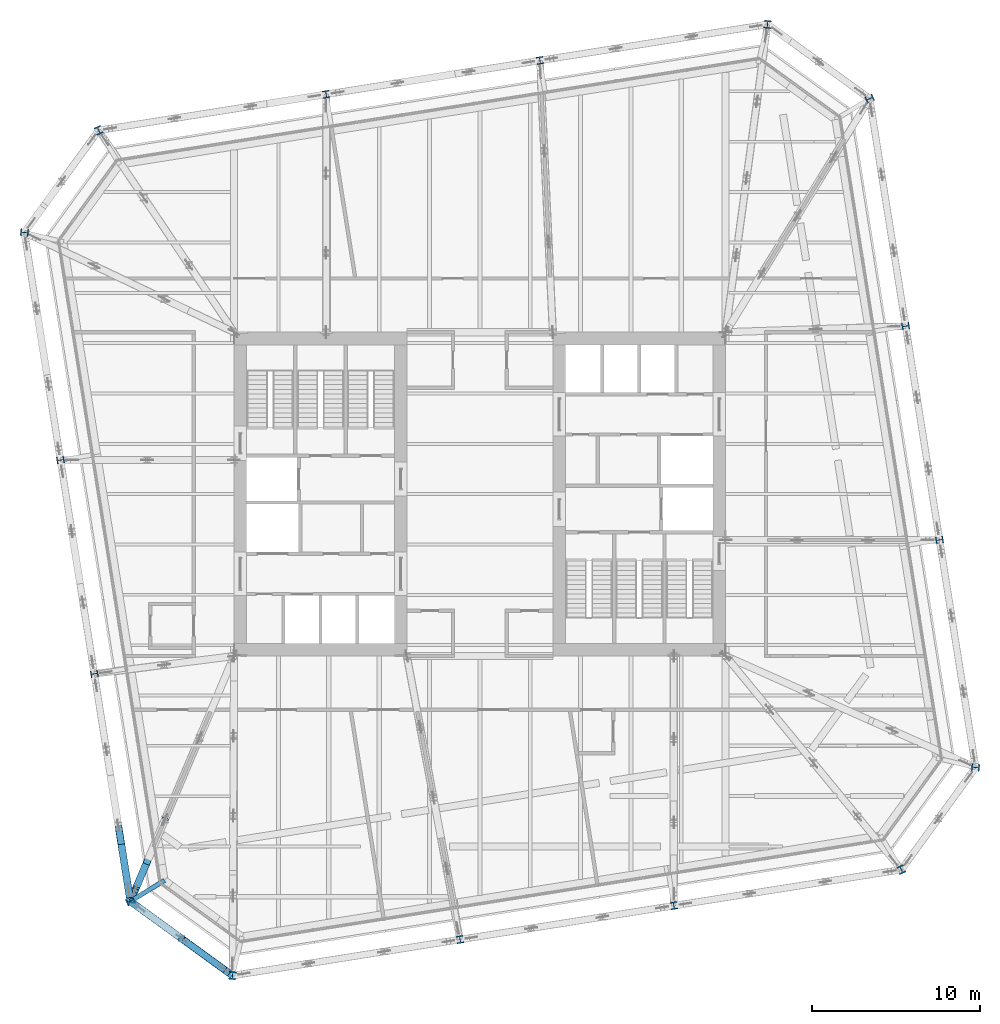
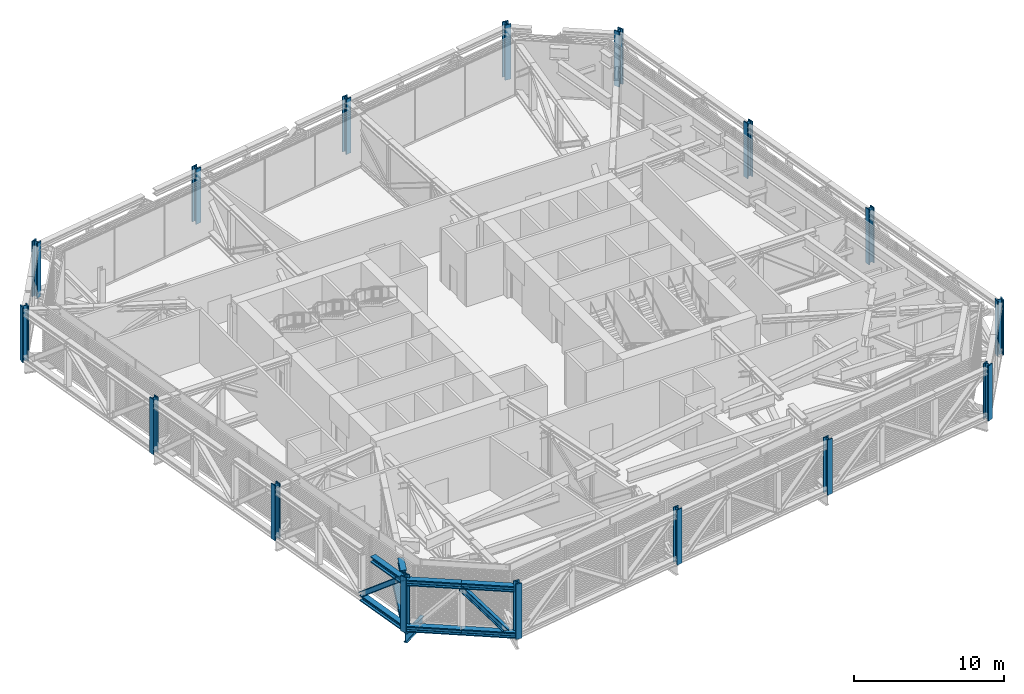
# One storey, part 1 of 31: 16 columns, 9 beams, 3 members.
"""IFC4 building model written with IfcOpenShell, lengths in metres."""

from ifc_helpers import new_model, si_unit, direction, frame, origin, origin_2d, place, context, subcontext, project, spatial, i_section, extrude, material, material_profile, profile_set, type_object, element, save


model = new_model("IFC4")

# Units and contexts
model_context = context("Model", 3, precision=1e-05, world=origin(), true_north=direction((0.0, 1.0)))
body_context = subcontext(model_context, "Body", "Model", "MODEL_VIEW")
ifc_project = project(units=[si_unit("LENGTHUNIT", "METRE"), si_unit("AREAUNIT", "SQUARE_METRE"), si_unit("VOLUMEUNIT", "CUBIC_METRE"), si_unit("PLANEANGLEUNIT", "RADIAN"), si_unit("MASSUNIT", "GRAM", prefix="KILO")], contexts=[model_context])

# Site, building, storey
site_placement = place(None, origin())
site = spatial("IfcSite", under=ifc_project, at=site_placement, CompositionType="ELEMENT")
building_placement = place(site_placement, origin())
building = spatial("IfcBuilding", under=site, at=building_placement, Name="Millrace Tower", CompositionType="ELEMENT")
storey_placement = place(building_placement, frame((0.0, 0.0, 195.60009765625)))
storey = spatial("IfcBuildingStorey", under=building, at=storey_placement, Name="L44", CompositionType="ELEMENT", Elevation=195.60009765625)

# Columns
ifc_material_1 = material(Name="Steel ASTM A913 Grade 65", Category="steel")
ifc_material_profile_1 = material_profile(ifc_material_1, i_section(OverallWidth=0.419189453125, OverallDepth=0.45458984375, WebThickness=0.042236328125, FlangeThickness=0.067626953125, FilletRadius=0.01513671875, at=origin_2d()))
ifc_profile_set_1 = profile_set([ifc_material_profile_1], Name="Steel ASTM A913 Grade 65")
column_type_1 = type_object("IfcColumnType", Name="Exoskeleton column W14x370", PredefinedType="COLUMN", material=ifc_profile_set_1)
for number, where, z_axis, x_axis, name in (
    (1, (-1.181396484375, -26.545166015625, 0.0), (0.0, 0.0, 1.0), (0.987688339156, 0.156434474125, 0.0), "COL-C-L44-X03"),
    (2, (11.5595703125, -24.527099609375, 0.0), (0.0, 0.0, 1.0), (0.987688338239, 0.156434479917, 0.0), "COL-C-L44-X04"),
    (3, (27.39501953125, -2.7314453125, 0.0), (0.0, 0.0, 1.0), (-0.156434474125, 0.987688339156, 0.0), "COL-C-L44-X07"),
    (4, (25.376953125, 10.009765625, 0.0), (0.0, 0.0, 1.0), (-0.156434479917, 0.987688338239, 0.0), "COL-C-L44-X08"),
    (5, (3.58154296875, 25.844970703125, 0.0), (0.0, 0.0, 1.0), (-0.987688339156, -0.156434474125, 0.0), "COL-C-L44-X11"),
    (6, (-9.15966796875, 23.8271484375, 0.0), (0.0, 0.0, 1.0), (-0.987688338239, -0.156434479917, 0.0), "COL-C-L44-X12"),
    (7, (-24.9951171875, 2.031494140625, 0.0), (0.0, 0.0, 1.0), (0.156434474125, -0.987688339156, 0.0), "COL-C-L44-X15"),
    (8, (-22.97705078125, -10.709716796875, 0.0), (0.0, 0.0, 1.0), (0.156434479917, -0.987688338239, 0.0), "COL-C-L44-X16"),
):
    element("IfcColumn", number, at=place(storey_placement, frame(where, z_axis=z_axis, x_axis=x_axis)), inside=storey, type_object=column_type_1, Name=name, PredefinedType="COLUMN", context=body_context, shape_type="SweptSolid", body=[
        extrude(i_section(OverallWidth=0.419189453125, OverallDepth=0.45458984375, WebThickness=0.042236328125, FlangeThickness=0.067626953125, FilletRadius=0.01513671875, at=origin_2d()), origin(), (0.0, 0.0, 1.0), 4.5),
    ])
ifc_material_2 = material(Name="Steel ASTM A913 Grade 65", Category="steel")
ifc_material_profile_2 = material_profile(ifc_material_2, i_section(OverallWidth=0.4267578125, OverallDepth=0.482666015625, WebThickness=0.05126953125, FlangeThickness=0.08154296875, FilletRadius=0.01513671875, at=origin_2d()))
ifc_profile_set_2 = profile_set([ifc_material_profile_2], Name="Steel ASTM A913 Grade 65")
column_type_2 = type_object("IfcColumnType", Name="Exoskeleton column W14x455", PredefinedType="COLUMN", material=ifc_profile_set_2)
for number, where, z_axis, x_axis, name in (
    (9, (-20.829345703125, -24.26904296875, 0.0), (0.0, 0.0, 1.0), (0.416401106568, -0.909181015227, 0.0), "COL-C-L44-X01"),
    (10, (-14.740966796875, -28.692626953125, 0.0), (0.0, 0.0, 1.0), (0.993357548409, -0.115068592665, 0.0), "COL-C-L44-X02"),
    (11, (25.119140625, -22.37939453125, 0.0), (0.0, 0.0, 1.0), (0.909181015227, 0.416401106568, 0.0), "COL-C-L44-X05"),
    (12, (29.542724609375, -16.291015625, 0.0), (0.0, 0.0, 1.0), (0.115068592665, 0.993357548409, 0.0), "COL-C-L44-X06"),
    (13, (23.2294921875, 23.569091796875, 0.0), (0.0, 0.0, 1.0), (-0.416401106568, 0.909181015227, 0.0), "COL-C-L44-X09"),
    (14, (17.140869140625, 27.99267578125, 0.0), (0.0, 0.0, 1.0), (-0.993357548409, 0.115068592665, 0.0), "COL-C-L44-X10"),
    (15, (-22.718994140625, 21.679443359375, 0.0), (0.0, 0.0, 1.0), (-0.909181015227, -0.416401106568, 0.0), "COL-C-L44-X13"),
    (16, (-27.142578125, 15.5908203125, 0.0), (0.0, 0.0, 1.0), (-0.115068592665, -0.993357548409, 0.0), "COL-C-L44-X14"),
):
    element("IfcColumn", number, at=place(storey_placement, frame(where, z_axis=z_axis, x_axis=x_axis)), inside=storey, type_object=column_type_2, Name=name, PredefinedType="COLUMN", context=body_context, shape_type="SweptSolid", body=[
        extrude(i_section(OverallWidth=0.4267578125, OverallDepth=0.482666015625, WebThickness=0.05126953125, FlangeThickness=0.08154296875, FilletRadius=0.01513671875, at=origin_2d()), origin(), (0.0, 0.0, 1.0), 4.5),
    ])

# Beams
ifc_material_3 = material(Name="Steel ASTM A992 Grade 50", Category="steel")
ifc_material_profile_3 = material_profile(ifc_material_3, i_section(OverallWidth=0.4267578125, OverallDepth=0.482666015625, WebThickness=0.05126953125, FlangeThickness=0.08154296875, FilletRadius=0.01513671875, at=origin_2d()))
ifc_profile_set_3 = profile_set([ifc_material_profile_3], Name="Steel ASTM A992 Grade 50")
beam_type_1 = type_object("IfcBeamType", Name="Belt truss chord W14x455", PredefinedType="BEAM", material=ifc_profile_set_3)
beam_1_placement = place(storey_placement, frame((-20.829345703125, -24.26904296875, 0.2412109375), z_axis=(0.80899412534, -0.587816727531, 0.0), x_axis=(0.587816727531, 0.80899412534, 0.0)))
element("IfcBeam", 17, at=beam_1_placement, inside=storey, type_object=beam_type_1, Name="BLT-L44-R01-B01", PredefinedType="BEAM", context=body_context, shape_type="SweptSolid", body=[
    extrude(i_section(OverallWidth=0.4267578125, OverallDepth=0.482666015625, WebThickness=0.05126953125, FlangeThickness=0.08154296875, FilletRadius=0.01513671875, at=origin_2d()), origin(), (0.0, 0.0, 1.0), 3.762939453125),
])
beam_2_placement = place(storey_placement, frame((-17.78515625, -26.48095703125, 0.2412109375), z_axis=(0.809024978662, -0.587774262707, 0.0), x_axis=(0.587774262707, 0.809024978662, 0.0)))
element("IfcBeam", 18, at=beam_2_placement, inside=storey, type_object=beam_type_1, Name="BLT-L44-R01-B02", PredefinedType="BEAM", context=body_context, shape_type="SweptSolid", body=[
    extrude(i_section(OverallWidth=0.4267578125, OverallDepth=0.482666015625, WebThickness=0.05126953125, FlangeThickness=0.08154296875, FilletRadius=0.01513671875, at=origin_2d()), origin(), (0.0, 0.0, 1.0), 3.7626953125),
])
beam_3_placement = place(storey_placement, frame((-21.54541015625, -19.749267578125, 0.2412109375), z_axis=(0.156477602811, -0.987681507278, 0.0), x_axis=(0.987681507278, 0.156477602811, 0.0)))
element("IfcBeam", 19, at=beam_3_placement, inside=storey, type_object=beam_type_1, Name="BLT-L44-R16-B03", PredefinedType="BEAM", context=body_context, shape_type="SweptSolid", body=[
    extrude(i_section(OverallWidth=0.4267578125, OverallDepth=0.482666015625, WebThickness=0.05126953125, FlangeThickness=0.08154296875, FilletRadius=0.01513671875, at=origin_2d()), origin(), (0.0, 0.0, 1.0), 4.576171875),
])
beam_4_placement = place(storey_placement, frame((-20.8212890625, -24.27490234375, 3.99853515625), z_axis=(0.808994810086, -0.587815785135, 0.0), x_axis=(0.587815785135, 0.808994810086, 0.0)))
element("IfcBeam", 20, at=beam_4_placement, inside=storey, type_object=beam_type_1, Name="BLT-L44-R01-T01", PredefinedType="BEAM", context=body_context, shape_type="SweptSolid", body=[
    extrude(i_section(OverallWidth=0.4267578125, OverallDepth=0.482666015625, WebThickness=0.05126953125, FlangeThickness=0.08154296875, FilletRadius=0.01513671875, at=origin_2d()), origin(), (0.0, 0.0, 1.0), 3.7529296875),
])
beam_5_placement = place(storey_placement, frame((-17.78515625, -26.48095703125, 3.99853515625), z_axis=(0.809022381895, -0.587777836936, 0.0), x_axis=(0.587777836936, 0.809022381895, 0.0)))
element("IfcBeam", 21, at=beam_5_placement, inside=storey, type_object=beam_type_1, Name="BLT-L44-R01-T02", PredefinedType="BEAM", context=body_context, shape_type="SweptSolid", body=[
    extrude(i_section(OverallWidth=0.4267578125, OverallDepth=0.482666015625, WebThickness=0.05126953125, FlangeThickness=0.08154296875, FilletRadius=0.01513671875, at=origin_2d()), origin(), (0.0, 0.0, 1.0), 3.538818359375),
])
beam_6_placement = place(storey_placement, frame((-21.36767578125, -20.870361328125, 3.99853515625), z_axis=(0.15640681483, -0.987692719561, 0.0), x_axis=(0.987692719561, 0.15640681483, 0.0)))
element("IfcBeam", 22, at=beam_6_placement, inside=storey, type_object=beam_type_1, Name="BLT-L44-R16-T03", PredefinedType="BEAM", context=body_context, shape_type="SweptSolid", body=[
    extrude(i_section(OverallWidth=0.4267578125, OverallDepth=0.482666015625, WebThickness=0.05126953125, FlangeThickness=0.08154296875, FilletRadius=0.01513671875, at=origin_2d()), origin(), (0.0, 0.0, 1.0), 3.217041015625),
])

# Members
ifc_material_4 = material(Name="Steel ASTM A992 Grade 50", Category="steel")
ifc_material_profile_4 = material_profile(ifc_material_4, i_section(OverallWidth=0.398681640625, OverallDepth=0.393798828125, WebThickness=0.022705078125, FlangeThickness=0.03662109375, FilletRadius=0.01513671875, at=origin_2d()))
ifc_profile_set_4 = profile_set([ifc_material_profile_4], Name="Steel ASTM A992 Grade 50")
member_type_1 = type_object("IfcMemberType", Name="Belt truss diagonal W14x193", PredefinedType="BRACE", material=ifc_profile_set_4)
member_1_placement = place(storey_placement, frame((-15.30712890625, -28.28125, 0.482421875), z_axis=(-0.552632129758, 0.401488603432, 0.730345555524), x_axis=(-0.587764036954, -0.809032407796, 0.0)))
element("IfcMember", 23, at=member_1_placement, inside=storey, type_object=member_type_1, Name="BLT-L44-R01-D02", PredefinedType="BRACE", context=body_context, shape_type="SweptSolid", body=[
    extrude(i_section(OverallWidth=0.398681640625, OverallDepth=0.393798828125, WebThickness=0.022705078125, FlangeThickness=0.03662109375, FilletRadius=0.01513671875, at=origin_2d()), origin(), (0.0, 0.0, 1.0), 4.484130859375),
])
member_2_placement = place(storey_placement, frame((-21.54541015625, -19.749267578125, 0.482421875), z_axis=(0.119511586918, -0.754452976838, 0.64538181438), x_axis=(0.987684704581, 0.156457420202, 0.0)))
element("IfcMember", 24, at=member_2_placement, inside=storey, type_object=member_type_1, Name="BLT-L44-R16-D03", PredefinedType="BRACE", context=body_context, shape_type="SweptSolid", body=[
    extrude(i_section(OverallWidth=0.398681640625, OverallDepth=0.393798828125, WebThickness=0.022705078125, FlangeThickness=0.03662109375, FilletRadius=0.01513671875, at=origin_2d()), origin(), (0.0, 0.0, 1.0), 5.074462890625),
])

# Beams
ifc_material_5 = material(Name="Steel ASTM A992 Grade 50", Category="steel")
ifc_material_profile_5 = material_profile(ifc_material_5, i_section(OverallWidth=0.2666015625, OverallDepth=0.7568359375, WebThickness=0.013916015625, FlangeThickness=0.019287109375, FilletRadius=0.0166015625, at=origin_2d()))
ifc_profile_set_5 = profile_set([ifc_material_profile_5], Name="Steel ASTM A992 Grade 50")
beam_type_2 = type_object("IfcBeamType", Name="Link beam W30x108", PredefinedType="BEAM", material=ifc_profile_set_5)
beam_7_placement = place(storey_placement, frame((-18.7890625, -23.018798828125, -0.628662109375), z_axis=(-0.852648172602, -0.522485496218, 0.0), x_axis=(0.522485496218, -0.852648172602, 0.0)))
element("IfcBeam", 25, at=beam_7_placement, inside=storey, type_object=beam_type_2, Name="LNK-C-L44-S1-01", PredefinedType="BEAM", context=body_context, shape_type="SweptSolid", body=[
    extrude(i_section(OverallWidth=0.2666015625, OverallDepth=0.7568359375, WebThickness=0.013916015625, FlangeThickness=0.019287109375, FilletRadius=0.0166015625, at=origin_2d()), origin(), (0.0, 0.0, 1.0), 2.392822265625),
])
ifc_material_6 = material(Name="Steel ASTM A992 Grade 50", Category="steel")
ifc_material_profile_6 = material_profile(ifc_material_6, i_section(OverallWidth=0.4267578125, OverallDepth=0.482666015625, WebThickness=0.05126953125, FlangeThickness=0.08154296875, FilletRadius=0.01513671875, at=origin_2d()))
ifc_profile_set_6 = profile_set([ifc_material_profile_6], Name="Steel ASTM A992 Grade 50")
beam_type_3 = type_object("IfcBeamType", Name="Outrigger truss chord W14x455", PredefinedType="BEAM", material=ifc_profile_set_6)
beam_8_placement = place(storey_placement, frame((-18.76953125, -19.39599609375, 0.2412109375), z_axis=(-0.38934189697, -0.921093310835, 0.0), x_axis=(0.921093310835, -0.38934189697, 0.0)))
element("IfcBeam", 26, at=beam_8_placement, inside=storey, type_object=beam_type_3, Name="BLT-L44-O01-B03", PredefinedType="BEAM", context=body_context, shape_type="SweptSolid", body=[
    extrude(i_section(OverallWidth=0.4267578125, OverallDepth=0.482666015625, WebThickness=0.05126953125, FlangeThickness=0.08154296875, FilletRadius=0.01513671875, at=origin_2d()), origin(), (0.0, 0.0, 1.0), 5.29052734375),
])
beam_9_placement = place(storey_placement, frame((-19.888916015625, -22.0439453125, 3.99853515625), z_axis=(-0.389344591048, -0.921092172056, 0.0), x_axis=(0.921092172056, -0.389344591048, 0.0)))
element("IfcBeam", 27, at=beam_9_placement, inside=storey, type_object=beam_type_3, Name="BLT-L44-O01-T03-b", PredefinedType="BEAM", context=body_context, shape_type="SweptSolid", body=[
    extrude(i_section(OverallWidth=0.4267578125, OverallDepth=0.482666015625, WebThickness=0.05126953125, FlangeThickness=0.08154296875, FilletRadius=0.01513671875, at=origin_2d()), origin(), (0.0, 0.0, 1.0), 1.48291015625),
])

# Member
ifc_material_7 = material(Name="Steel ASTM A992 Grade 50", Category="steel")
ifc_material_profile_7 = material_profile(ifc_material_7, i_section(OverallWidth=0.398681640625, OverallDepth=0.393798828125, WebThickness=0.022705078125, FlangeThickness=0.03662109375, FilletRadius=0.01513671875, at=origin_2d()))
ifc_profile_set_7 = profile_set([ifc_material_profile_7], Name="Steel ASTM A992 Grade 50")
member_type_2 = type_object("IfcMemberType", Name="Outrigger truss diagonal W14x193", PredefinedType="BRACE", material=ifc_profile_set_7)
member_3_placement = place(storey_placement, frame((-18.76953125, -19.39599609375, 0.482421875), z_axis=(-0.316964960541, -0.7498314645, 0.580763281067), x_axis=(0.921086854078, -0.389357171817, 0.0)))
element("IfcMember", 28, at=member_3_placement, inside=storey, type_object=member_type_2, Name="BLT-L44-O01-D03", PredefinedType="BRACE", context=body_context, shape_type="SweptSolid", body=[
    extrude(i_section(OverallWidth=0.398681640625, OverallDepth=0.393798828125, WebThickness=0.022705078125, FlangeThickness=0.03662109375, FilletRadius=0.01513671875, at=origin_2d()), origin(), (0.0, 0.0, 1.0), 5.638916015625),
])

save(model, "model.ifc")
